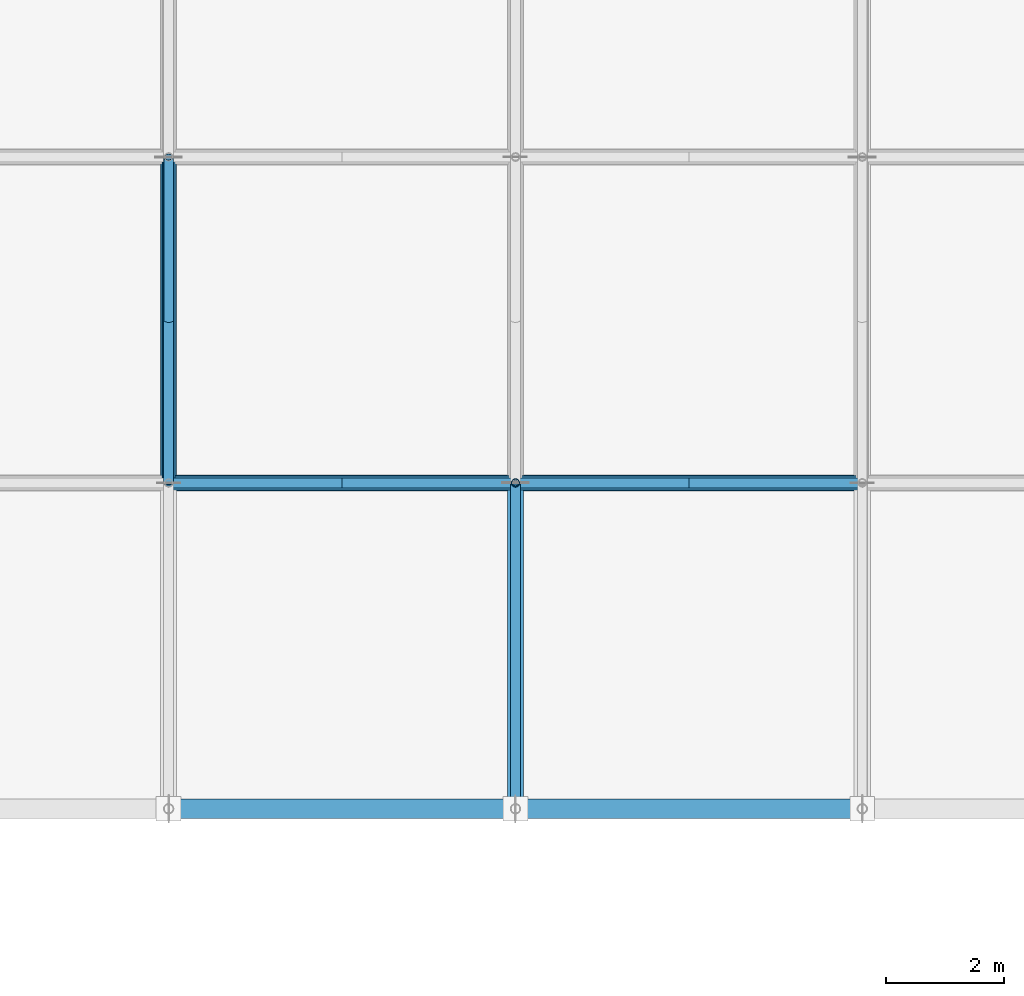
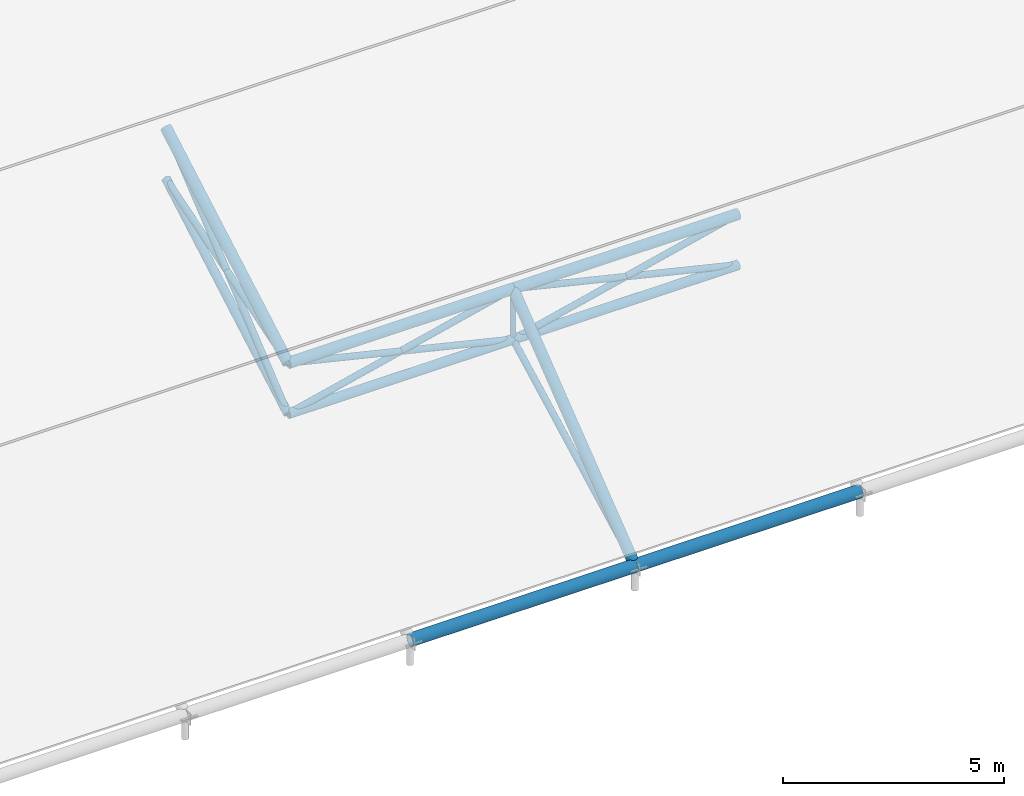
# One storey, part 2 of 82: 17 members.
"""IFC4 building model written with IfcOpenShell, lengths in metres."""

from ifc_helpers import new_model, si_unit, direction, frame, origin, origin_2d, place, context, subcontext, project, spatial, hollow_circle, extrude, material, material_profile, profile_set, type_object, element, save


model = new_model("IFC4")

# Units and contexts
model_context = context("Model", 3, precision=1e-05, world=origin(), true_north=direction((0.0, 1.0)))
body_context = subcontext(model_context, "Body", "Model", "MODEL_VIEW")
ifc_project = project(units=[si_unit("LENGTHUNIT", "METRE"), si_unit("AREAUNIT", "SQUARE_METRE"), si_unit("VOLUMEUNIT", "CUBIC_METRE"), si_unit("PLANEANGLEUNIT", "RADIAN"), si_unit("MASSUNIT", "GRAM", prefix="KILO")], contexts=[model_context])

# Site, building, storey
site_placement = place(None, origin())
site = spatial("IfcSite", under=ifc_project, at=site_placement, CompositionType="ELEMENT")
building_placement = place(site_placement, origin())
building = spatial("IfcBuilding", under=site, at=building_placement, Name="Bramfleet General Hospital", CompositionType="ELEMENT")
storey_placement = place(building_placement, frame((0.0, 0.0, 34.199951171875)))
storey = spatial("IfcBuildingStorey", under=building, at=storey_placement, Name="Roof", CompositionType="ELEMENT", Elevation=34.199951171875)

# Members
ifc_material = material(Name="Steel S355", Category="steel")
ifc_material_profile_1 = material_profile(ifc_material, hollow_circle(Radius=0.122314453125, WallThickness=0.012451171875, at=origin_2d()), Name="CHS 244.5x12.5")
ifc_profile_set_1 = profile_set([ifc_material_profile_1], Name="Steel S355")
member_type_1 = type_object("IfcMemberType", Name="MEM-SF-BC1", PredefinedType="CHORD", material=ifc_profile_set_1)
member_1_placement = place(storey_placement, frame((62.5927734375, 22.7666015625, -16.550048828125), z_axis=(1.0, 0.0, 0.0), x_axis=(0.0, 1.0, 0.0)))
element("IfcMember", 1, at=member_1_placement, inside=storey, type_object=member_type_1, Name="Space Frame Bottom Chord X 2-1", PredefinedType="CHORD", context=body_context, shape_type="SweptSolid", body=[
    extrude(hollow_circle(Radius=0.122314453125, WallThickness=0.012451171875, at=origin_2d()), origin(), (0.0, 0.0, 1.0), 5.87158203125),
])
member_2_placement = place(storey_placement, frame((68.46435546875, 22.7666015625, -16.550048828125), z_axis=(1.0, 0.0, 0.0), x_axis=(0.0, 1.0, 0.0)))
element("IfcMember", 2, at=member_2_placement, inside=storey, type_object=member_type_1, Name="Space Frame Bottom Chord X 3-1", PredefinedType="CHORD", context=body_context, shape_type="SweptSolid", body=[
    extrude(hollow_circle(Radius=0.122314453125, WallThickness=0.012451171875, at=origin_2d()), origin(), (0.0, 0.0, 1.0), 5.871337890625),
])
ifc_material_profile_2 = material_profile(ifc_material, hollow_circle(Radius=0.109619140625, WallThickness=0.010009765625, at=origin_2d()), Name="CHS 219.1x10.0")
ifc_profile_set_2 = profile_set([ifc_material_profile_2], Name="Steel S355")
member_type_2 = type_object("IfcMemberType", Name="MEM-SF-BC2", PredefinedType="CHORD", material=ifc_profile_set_2)
member_3_placement = place(storey_placement, frame((62.5927734375, 22.7666015625, -16.550048828125), z_axis=(0.0, 0.868550467682, 0.495600731526), x_axis=(-1.0, 0.0, 0.0)))
element("IfcMember", 3, at=member_3_placement, inside=storey, type_object=member_type_2, Name="Space Frame Bottom Chord Y 2-1", PredefinedType="CHORD", context=body_context, shape_type="SweptSolid", body=[
    extrude(hollow_circle(Radius=0.109619140625, WallThickness=0.010009765625, at=origin_2d()), origin(), (0.0, 0.0, 1.0), 6.351806640625),
])
ifc_material_profile_3 = material_profile(ifc_material, hollow_circle(Radius=0.084228515625, WallThickness=0.008056640625, at=origin_2d()), Name="CHS 168.3x8.0")
ifc_profile_set_3 = profile_set([ifc_material_profile_3], Name="Steel S355")
member_type_3 = type_object("IfcMemberType", Name="MEM-SF-DG1", PredefinedType="STRUT", material=ifc_profile_set_3)
member_4_placement = place(storey_placement, frame((62.5927734375, 22.7666015625, -16.550048828125), z_axis=(0.972725871839, 0.0, 0.2319577079), x_axis=(0.0, 1.0, 0.0)))
element("IfcMember", 4, at=member_4_placement, inside=storey, type_object=member_type_3, Name="Space Frame Web Strut 2-1-E", PredefinedType="STRUT", context=body_context, shape_type="SweptSolid", body=[
    extrude(hollow_circle(Radius=0.084228515625, WallThickness=0.008056640625, at=origin_2d()), origin(), (0.0, 0.0, 1.0), 6.0361328125),
])
member_5_placement = place(storey_placement, frame((62.5927734375, 22.7666015625, -16.550048828125), z_axis=(0.0, 0.771616694689, 0.636087789913), x_axis=(-1.0, 0.0, 0.0)))
element("IfcMember", 5, at=member_5_placement, inside=storey, type_object=member_type_3, Name="Space Frame Web Strut 2-1-N", PredefinedType="STRUT", context=body_context, shape_type="SweptSolid", body=[
    extrude(hollow_circle(Radius=0.084228515625, WallThickness=0.008056640625, at=origin_2d()), origin(), (0.0, 0.0, 1.0), 7.149658203125),
])
member_6_placement = place(storey_placement, frame((62.5927734375, 28.283447265625, -13.402099609375), z_axis=(0.0, -0.953302351755, -0.302017592433), x_axis=(1.0, 0.0, 0.0)))
element("IfcMember", 6, at=member_6_placement, inside=storey, type_object=member_type_3, Name="Space Frame Web Strut 2-2-S", PredefinedType="STRUT", context=body_context, shape_type="SweptSolid", body=[
    extrude(hollow_circle(Radius=0.084228515625, WallThickness=0.008056640625, at=origin_2d()), origin(), (0.0, 0.0, 1.0), 5.787109375),
])
member_7_placement = place(storey_placement, frame((68.46435546875, 22.7666015625, -16.550048828125), z_axis=(-0.972725871839, 0.0, 0.2319577079), x_axis=(0.0, -1.0, 0.0)))
element("IfcMember", 7, at=member_7_placement, inside=storey, type_object=member_type_3, Name="Space Frame Web Strut 3-1-W", PredefinedType="STRUT", context=body_context, shape_type="SweptSolid", body=[
    extrude(hollow_circle(Radius=0.084228515625, WallThickness=0.008056640625, at=origin_2d()), origin(), (0.0, 0.0, 1.0), 6.0361328125),
])
member_8_placement = place(storey_placement, frame((68.46435546875, 22.7666015625, -16.550048828125), z_axis=(0.97272369554, 0.0, 0.231966834127), x_axis=(0.0, 1.0, 0.0)))
element("IfcMember", 8, at=member_8_placement, inside=storey, type_object=member_type_3, Name="Space Frame Web Strut 3-1-E", PredefinedType="STRUT", context=body_context, shape_type="SweptSolid", body=[
    extrude(hollow_circle(Radius=0.084228515625, WallThickness=0.008056640625, at=origin_2d()), origin(), (0.0, 0.0, 1.0), 6.035888671875),
])
member_9_placement = place(storey_placement, frame((68.46435546875, 22.7666015625, -16.550048828125), z_axis=(0.0, -0.885154336521, -0.465297539794), x_axis=(1.0, 0.0, 0.0)))
element("IfcMember", 9, at=member_9_placement, inside=storey, type_object=member_type_3, Name="Space Frame Web Strut 3-1-S", PredefinedType="STRUT", context=body_context, shape_type="SweptSolid", body=[
    extrude(hollow_circle(Radius=0.084228515625, WallThickness=0.008056640625, at=origin_2d()), origin(), (0.0, 0.0, 1.0), 6.232421875),
])
member_10_placement = place(storey_placement, frame((74.335693359375, 22.7666015625, -16.550048828125), z_axis=(-0.97272369554, 0.0, 0.231966834127), x_axis=(0.0, -1.0, 0.0)))
element("IfcMember", 10, at=member_10_placement, inside=storey, type_object=member_type_3, Name="Space Frame Web Strut 4-1-W", PredefinedType="STRUT", context=body_context, shape_type="SweptSolid", body=[
    extrude(hollow_circle(Radius=0.084228515625, WallThickness=0.008056640625, at=origin_2d()), origin(), (0.0, 0.0, 1.0), 6.035888671875),
])
ifc_material_profile_4 = material_profile(ifc_material, hollow_circle(Radius=0.06982421875, WallThickness=0.008056640625, at=origin_2d()), Name="CHS 139.7x8.0")
ifc_profile_set_4 = profile_set([ifc_material_profile_4], Name="Steel S355")
member_type_4 = type_object("IfcMemberType", Name="MEM-SF-DG2", PredefinedType="STRUT", material=ifc_profile_set_4)
member_11_placement = place(storey_placement, frame((68.46435546875, 22.7666015625, -16.550048828125), z_axis=(0.0, 0.0, 1.0), x_axis=(1.0, 0.0, 0.0)))
element("IfcMember", 11, at=member_11_placement, inside=storey, type_object=member_type_4, Name="Space Frame King Strut 3-1", PredefinedType="STRUT", context=body_context, shape_type="SweptSolid", body=[
    extrude(hollow_circle(Radius=0.06982421875, WallThickness=0.008056640625, at=origin_2d()), origin(), (0.0, 0.0, 1.0), 1.400146484375),
])
ifc_material_profile_5 = material_profile(ifc_material, hollow_circle(Radius=0.161865234375, WallThickness=0.012451171875, at=origin_2d()), Name="CHS 323.9x12.5")
ifc_profile_set_5 = profile_set([ifc_material_profile_5], Name="Steel S355")
member_type_5 = type_object("IfcMemberType", Name="MEM-SF-TC1", PredefinedType="CHORD", material=ifc_profile_set_5)
member_12_placement = place(storey_placement, frame((62.5927734375, 17.25, -19.449951171875), z_axis=(1.0, 0.0, 0.0), x_axis=(0.0, 1.0, 0.0)))
element("IfcMember", 12, at=member_12_placement, inside=storey, type_object=member_type_5, Name="Space Frame Top Chord X 2-0", PredefinedType="CHORD", context=body_context, shape_type="SweptSolid", body=[
    extrude(hollow_circle(Radius=0.161865234375, WallThickness=0.012451171875, at=origin_2d()), origin(), (0.0, 0.0, 1.0), 5.87158203125),
])
member_13_placement = place(storey_placement, frame((68.46435546875, 17.25, -19.449951171875), z_axis=(1.0, 0.0, 0.0), x_axis=(0.0, 1.0, 0.0)))
element("IfcMember", 13, at=member_13_placement, inside=storey, type_object=member_type_5, Name="Space Frame Top Chord X 3-0", PredefinedType="CHORD", context=body_context, shape_type="SweptSolid", body=[
    extrude(hollow_circle(Radius=0.161865234375, WallThickness=0.012451171875, at=origin_2d()), origin(), (0.0, 0.0, 1.0), 5.871337890625),
])
ifc_material_profile_6 = material_profile(ifc_material, hollow_circle(Radius=0.136474609375, WallThickness=0.012451171875, at=origin_2d()), Name="CHS 273.0x12.5")
ifc_profile_set_6 = profile_set([ifc_material_profile_6], Name="Steel S355")
member_type_6 = type_object("IfcMemberType", Name="MEM-SF-TC2", PredefinedType="CHORD", material=ifc_profile_set_6)
member_14_placement = place(storey_placement, frame((62.5927734375, 22.7666015625, -15.14990234375), z_axis=(1.0, 0.0, 0.0), x_axis=(0.0, 1.0, 0.0)))
element("IfcMember", 14, at=member_14_placement, inside=storey, type_object=member_type_6, Name="Space Frame Top Chord X 2-1", PredefinedType="CHORD", context=body_context, shape_type="SweptSolid", body=[
    extrude(hollow_circle(Radius=0.136474609375, WallThickness=0.012451171875, at=origin_2d()), origin(), (0.0, 0.0, 1.0), 5.87158203125),
])
member_15_placement = place(storey_placement, frame((68.46435546875, 22.7666015625, -15.14990234375), z_axis=(1.0, 0.0, 0.0), x_axis=(0.0, 1.0, 0.0)))
element("IfcMember", 15, at=member_15_placement, inside=storey, type_object=member_type_6, Name="Space Frame Top Chord X 3-1", PredefinedType="CHORD", context=body_context, shape_type="SweptSolid", body=[
    extrude(hollow_circle(Radius=0.136474609375, WallThickness=0.012451171875, at=origin_2d()), origin(), (0.0, 0.0, 1.0), 5.871337890625),
])
member_16_placement = place(storey_placement, frame((62.5927734375, 22.7666015625, -15.14990234375), z_axis=(0.0, 0.868567012685, 0.495571734945), x_axis=(-1.0, 0.0, 0.0)))
element("IfcMember", 16, at=member_16_placement, inside=storey, type_object=member_type_6, Name="Space Frame Top Chord Y 2-1", PredefinedType="CHORD", context=body_context, shape_type="SweptSolid", body=[
    extrude(hollow_circle(Radius=0.136474609375, WallThickness=0.012451171875, at=origin_2d()), origin(), (0.0, 0.0, 1.0), 6.3515625),
])
member_17_placement = place(storey_placement, frame((68.46435546875, 17.25, -19.449951171875), z_axis=(0.0, 0.788703357865, 0.614773953004), x_axis=(-1.0, 0.0, 0.0)))
element("IfcMember", 17, at=member_17_placement, inside=storey, type_object=member_type_6, Name="Space Frame Top Chord Y 3-0", PredefinedType="CHORD", context=body_context, shape_type="SweptSolid", body=[
    extrude(hollow_circle(Radius=0.136474609375, WallThickness=0.012451171875, at=origin_2d()), origin(), (0.0, 0.0, 1.0), 6.99462890625),
])

save(model, "model.ifc")
